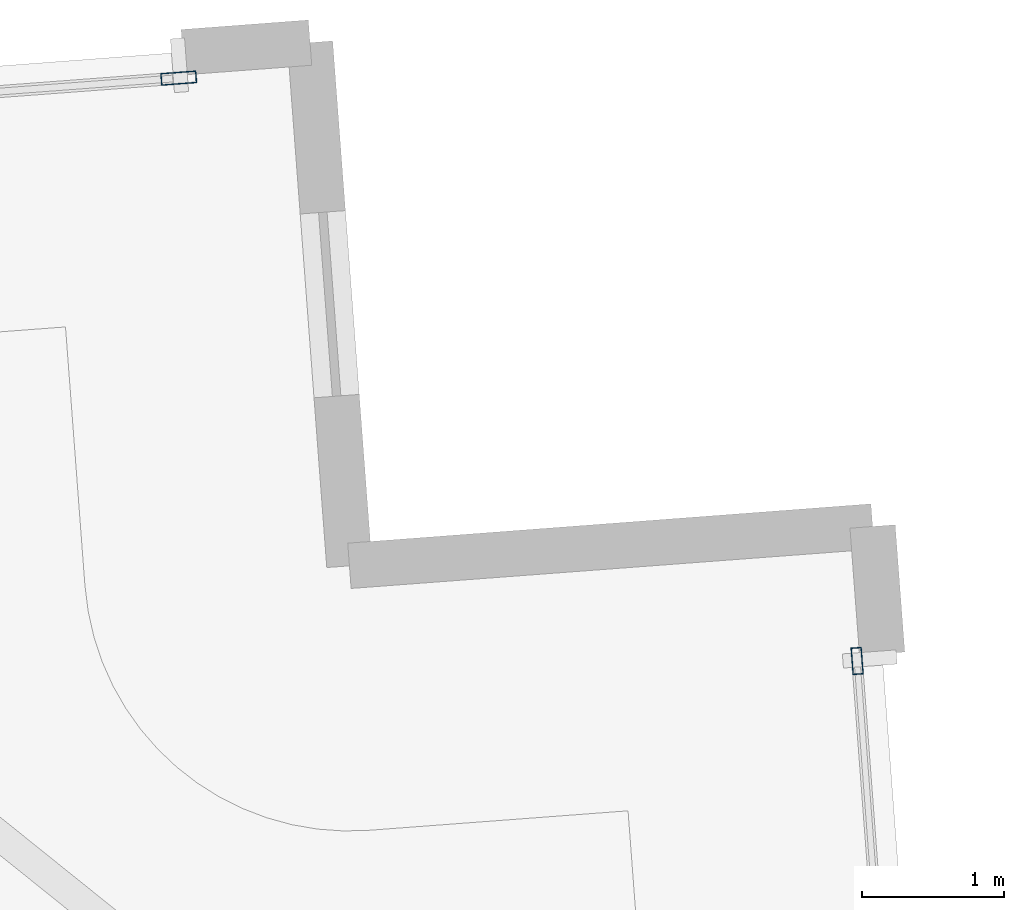
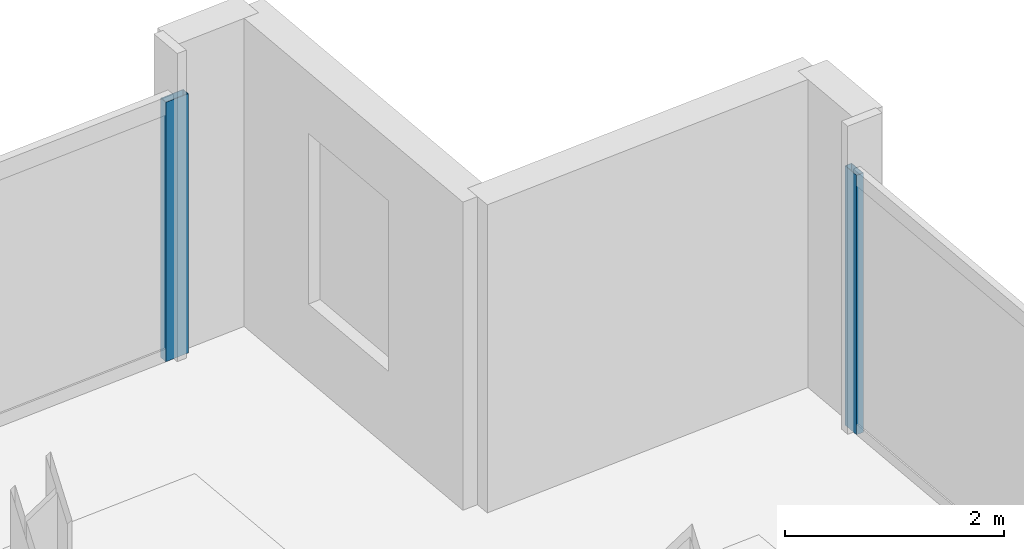
# One storey, part 15 of 23: 2 members, 2 elements without a shape of their own.
"""IFC4 building model written with IfcOpenShell, lengths in metres."""

import ifcopenshell
import ifcopenshell.guid

model = None  # the IFC model being written
_history = None  # IfcOwnerHistory: only IFC2X3 demands one
_inside = {}  # id of a spatial element -> (the spatial element, [elements in it])
_under = {}  # id of a project, library or spatial element -> (it, [spatial elements below it])
_declared = {}  # id of a project -> (the project, [libraries it declares])
_typed = {}  # id of a type object -> (the type object, [elements of that type])
_made_of = {}  # id of a material, layer set ... -> (it, [elements and type objects made of it])


def new_model(schema):
    """Start an empty IFC model of exactly this schema.

    Asked for "IFC4X3", IfcOpenShell would pick the latest addendum, in which some entities
    have other attributes; the version numbers below select the first issue.
    IFC2X3 requires an IfcOwnerHistory on every rooted entity: one is made here for all.
    """
    global model, _history
    if schema == "IFC4X3":
        model = ifcopenshell.file(schema_version=(4, 3, 0, 0))
    else:
        model = ifcopenshell.file(schema=schema)
    _inside.clear()
    _under.clear()
    _declared.clear()
    _typed.clear()
    _made_of.clear()
    _history = None
    if model.schema == "IFC2X3":
        org = make("IfcOrganization", Name="unknown")
        user = make(
            "IfcPersonAndOrganization",
            ThePerson=make("IfcPerson", FamilyName="unknown"),
            TheOrganization=org,
        )
        app = make(
            "IfcApplication",
            ApplicationDeveloper=org,
            Version="unknown",
            ApplicationFullName="unknown",
            ApplicationIdentifier="unknown",
        )
        _history = make(
            "IfcOwnerHistory",
            OwningUser=user,
            OwningApplication=app,
            ChangeAction="ADDED",
            CreationDate=0,
        )
    return model


def make(cls, **values):
    """One entity of the class cls with the attributes given. An attribute that is None is left unset."""
    return model.create_entity(
        cls, **{name: value for name, value in values.items() if value is not None}
    )


def rooted(cls, **values):
    """An entity with a GlobalId (a new one), such as an element, a storey or a relation."""
    return make(cls, GlobalId=ifcopenshell.guid.new(), OwnerHistory=_history, **values)


def si_unit(unit_type, name, prefix=None):
    """IfcSIUnit, for example si_unit("LENGTHUNIT", "METRE", prefix="MILLI")."""
    return make("IfcSIUnit", UnitType=unit_type, Prefix=prefix, Name=name)


def assignment(units):
    """IfcUnitAssignment: the units of a project."""
    return None if units is None else make("IfcUnitAssignment", Units=units)


def point(xyz):
    """IfcCartesianPoint."""
    return None if xyz is None else make("IfcCartesianPoint", Coordinates=xyz)


def direction(xyz):
    """IfcDirection."""
    return None if xyz is None else make("IfcDirection", DirectionRatios=xyz)


def frame(location, z_axis=None, x_axis=None):
    """IfcAxis2Placement3D, a coordinate frame: its origin and axes. An axis left out is left unset."""
    return make(
        "IfcAxis2Placement3D",
        Location=point(location),
        Axis=direction(z_axis),
        RefDirection=direction(x_axis),
    )


def frame_2d(location, x_axis=None):
    """IfcAxis2Placement2D, a coordinate frame in the plane: its origin and x axis."""
    return make(
        "IfcAxis2Placement2D", Location=point(location), RefDirection=direction(x_axis)
    )


def origin():
    """The frame at (0, 0, 0) with its axes left unset."""
    return frame((0.0, 0.0, 0.0))


def origin_2d():
    """The frame at (0, 0) in the plane with its x axis left unset."""
    return frame_2d((0.0, 0.0))


def place(relative_to, where):
    """IfcLocalPlacement: puts the frame where relative to a parent placement (None: the world)."""
    return make(
        "IfcLocalPlacement", PlacementRelTo=relative_to, RelativePlacement=where
    )


def context(
    kind, dimensions, precision=None, world=None, true_north=None, identifier=None
):
    """IfcGeometricRepresentationContext, for example the 3D "Model" context."""
    return make(
        "IfcGeometricRepresentationContext",
        ContextIdentifier=identifier,
        ContextType=kind,
        CoordinateSpaceDimension=dimensions,
        Precision=precision,
        WorldCoordinateSystem=world,
        TrueNorth=true_north,
    )


def subcontext(parent, identifier, kind, view, scale=None):
    """IfcGeometricRepresentationSubContext, for example "Body" below "Model"."""
    return make(
        "IfcGeometricRepresentationSubContext",
        ContextIdentifier=identifier,
        ContextType=kind,
        ParentContext=parent,
        TargetScale=scale,
        TargetView=view,
    )


def project(units=None, contexts=None):
    """IfcProject with its units and contexts."""
    return rooted(
        "IfcProject",
        Name="project",
        RepresentationContexts=contexts,
        UnitsInContext=assignment(units),
    )


def spatial(cls, under=None, at=None, **own):
    """A site, building, storey or space (cls), placed at a placement, below another one or the project."""
    s = rooted(cls, ObjectPlacement=at, **own)
    if under is not None:
        _under.setdefault(under.id(), (under, []))[1].append(s)
    return s


def profile(cls, at=None, kind="AREA", **sizes):
    """A parametric profile (cls). Its sizes go by their IFC names, for example OverallWidth=200.0."""
    return make(cls, ProfileType=kind, Position=at, **sizes)


def hollow_rectangle(**sizes):
    """IfcRectangleHollowProfileDef."""
    return profile("IfcRectangleHollowProfileDef", **sizes)


def extrude(swept, where, along, depth):
    """IfcExtrudedAreaSolid: the profile swept, set in the frame where, extruded along a direction by depth."""
    return make(
        "IfcExtrudedAreaSolid",
        SweptArea=swept,
        Position=where,
        ExtrudedDirection=direction(along),
        Depth=depth,
    )


def shape(context_of_items, identifier, shape_type, items):
    """IfcShapeRepresentation: the items that make up one representation, for example the "Body"."""
    return make(
        "IfcShapeRepresentation",
        ContextOfItems=context_of_items,
        RepresentationIdentifier=identifier,
        RepresentationType=shape_type,
        Items=items,
    )


def material(Name=None, Category=None):
    """IfcMaterial."""
    return make("IfcMaterial", Name=Name, Category=Category)


def material_profile(
    of_material, cross_section, Name=None, Category=None, Priority=None
):
    """IfcMaterialProfile: a cross section and its material."""
    return make(
        "IfcMaterialProfile",
        Name=Name,
        Material=of_material,
        Profile=cross_section,
        Priority=Priority,
        Category=Category,
    )


def profile_set(profiles, Name=None, composite=None):
    """IfcMaterialProfileSet."""
    return make(
        "IfcMaterialProfileSet",
        Name=Name,
        MaterialProfiles=profiles,
        CompositeProfile=composite,
    )


def made_of(thing, what):
    """Note that an element or type object is made of a material, layer set ...; save() writes the relation."""
    if what is not None:
        _made_of.setdefault(what.id(), (what, []))[1].append(thing)
    return thing


def type_object(cls, material=None, **own):
    """A type object (cls), such as IfcWallType, which elements share."""
    return made_of(rooted(cls, **own), material)


def element(
    cls,
    number,
    at=None,
    inside=None,
    cuts=None,
    type_object=None,
    material=None,
    context=None,
    identifier="Body",
    shape_type=None,
    held_by="IfcProductDefinitionShape",
    body=None,
    shapes=None,
    **own,
):
    """One element of the class cls, such as IfcWall. Its Tag is "e" and its number.

    at: its placement. inside: the storey or other place that contains it. cuts: it is an
    opening in that element (IfcRelVoidsElement). A single representation is given by context,
    identifier, shape_type and body (its items); several are given by shapes. held_by: the class
    of the entity that holds the representations. save() writes the other relations.
    """
    e = rooted(cls, Tag="e%d" % number, ObjectPlacement=at, **own)
    if body is not None:
        shapes = [shape(context, identifier, shape_type, body)]
    if shapes is not None:
        e.Representation = make(held_by, Representations=shapes)
    if inside is not None:
        _inside.setdefault(inside.id(), (inside, []))[1].append(e)
    if cuts is not None:
        rooted(
            "IfcRelVoidsElement", RelatingBuildingElement=cuts, RelatedOpeningElement=e
        )
    if type_object is not None:
        _typed.setdefault(type_object.id(), (type_object, []))[1].append(e)
    return made_of(e, material)


def aggregate(whole, parts):
    """IfcRelAggregates: a whole, such as a stair, and the parts it consists of."""
    return rooted("IfcRelAggregates", RelatingObject=whole, RelatedObjects=parts)


def save(model, path):
    """Write the relations noted so far, then the file.

    IfcRelAggregates (storeys below a building ...), IfcRelContainedInSpatialStructure (elements
    in a storey), IfcRelDefinesByType, IfcRelAssociatesMaterial and IfcRelDeclares: one each for
    every whole, place, type object, material and project.
    """
    for whole, parts in _under.values():
        aggregate(whole, parts)
    for where, things in _inside.values():
        rooted(
            "IfcRelContainedInSpatialStructure",
            RelatedElements=things,
            RelatingStructure=where,
        )
    for kind, things in _typed.values():
        rooted("IfcRelDefinesByType", RelatedObjects=things, RelatingType=kind)
    for what, things in _made_of.values():
        rooted("IfcRelAssociatesMaterial", RelatedObjects=things, RelatingMaterial=what)
    for by, libraries in _declared.values():
        rooted("IfcRelDeclares", RelatingContext=by, RelatedDefinitions=libraries)
    model.write(path)


model = new_model("IFC4")

# Units and contexts
model_context = context("Model", 3, precision=1e-05, world=origin(), true_north=direction((0.0, 1.0)))
body_context = subcontext(model_context, "Body", "Model", "MODEL_VIEW")
ifc_project = project(units=[si_unit("LENGTHUNIT", "METRE"), si_unit("AREAUNIT", "SQUARE_METRE"), si_unit("VOLUMEUNIT", "CUBIC_METRE"), si_unit("PLANEANGLEUNIT", "RADIAN"), si_unit("MASSUNIT", "GRAM", prefix="KILO")], contexts=[model_context])

# Site, building, storey
site_placement = place(None, origin())
site = spatial("IfcSite", under=ifc_project, at=site_placement, CompositionType="ELEMENT")
building_placement = place(site_placement, origin())
building = spatial("IfcBuilding", under=site, at=building_placement, Name="Haldenkirk Collegiate Tower", CompositionType="ELEMENT")
storey_placement = place(building_placement, frame((0.0, 0.0, 343.949951171875)))
storey = spatial("IfcBuildingStorey", under=building, at=storey_placement, Name="L87", CompositionType="ELEMENT", Elevation=343.949951171875)

# Curtain wall, member
ifc_material = material(Name="Anodised architectural bronze aluminium", Category="aluminium")
curtain_wall_type_1 = type_object("IfcCurtainWallType", Name="CW-SYS2-CONCAVE", PredefinedType="USERDEFINED", material=ifc_material)
curtain_wall_1_placement = place(storey_placement, origin())
curtain_wall_1 = element("IfcCurtainWall", 1, at=curtain_wall_1_placement, inside=storey, type_object=curtain_wall_type_1, Name="L87 South concave recessed bronze-anodised curtain wall", ObjectType="UNITISED CURTAIN WALL", PredefinedType="USERDEFINED")
ifc_material_profile_1 = material_profile(ifc_material, hollow_rectangle(XDim=0.074951171875, YDim=0.18994140625, WallThickness=0.0048828125, at=origin_2d()), Name="CW-MUL-02")
ifc_profile_set_1 = profile_set([ifc_material_profile_1], Name="Anodised architectural bronze aluminium")
member_type_1 = type_object("IfcMemberType", Name="CW-MUL-02", PredefinedType="MULLION", material=ifc_profile_set_1)
member_1_placement = place(storey_placement, frame((56.562744140625, 45.208251953125, 0.0), z_axis=(0.0, 0.0, 1.0), x_axis=(0.997185231822, 0.074977419512, 0.0)))
member_1 = element("IfcMember", 2, at=member_1_placement, type_object=member_type_1, Name="CW-02 mullion 1", PredefinedType="MULLION", context=body_context, shape_type="SweptSolid", body=[
    extrude(hollow_rectangle(XDim=0.074951171875, YDim=0.18994140625, WallThickness=0.0048828125, at=origin_2d()), origin(), (0.0, 0.0, 1.0), 2.887939453125),
])
aggregate(curtain_wall_1, [member_1])

curtain_wall_type_2 = type_object("IfcCurtainWallType", Name="CW-SYS1B-CONVEX-HI", PredefinedType="USERDEFINED", material=ifc_material)
curtain_wall_2_placement = place(storey_placement, origin())
curtain_wall_2 = element("IfcCurtainWall", 3, at=curtain_wall_2_placement, inside=storey, type_object=curtain_wall_type_2, Name="L87 Upper tower high-wind convex bronze unitised curtain wall", ObjectType="UNITISED CURTAIN WALL", PredefinedType="USERDEFINED")
ifc_material_profile_2 = material_profile(ifc_material, hollow_rectangle(XDim=0.0849609375, YDim=0.25, WallThickness=0.0048828125, at=origin_2d()), Name="CW-MUL-1B")
ifc_profile_set_2 = profile_set([ifc_material_profile_2], Name="Anodised architectural bronze aluminium")
member_type_2 = type_object("IfcMemberType", Name="CW-MUL-1B", PredefinedType="MULLION", material=ifc_profile_set_2)
member_2_placement = place(storey_placement, frame((51.778564453125, 49.318603515625, 0.0), z_axis=(0.0, 0.0, 1.0), x_axis=(-0.074979276345, 0.997185092206, 0.0)))
member_2 = element("IfcMember", 4, at=member_2_placement, type_object=member_type_2, Name="CW-1B mullion 4", PredefinedType="MULLION", context=body_context, shape_type="SweptSolid", body=[
    extrude(hollow_rectangle(XDim=0.0849609375, YDim=0.25, WallThickness=0.0048828125, at=origin_2d()), origin(), (0.0, 0.0, 1.0), 2.887939453125),
])
aggregate(curtain_wall_2, [member_2])

save(model, "model.ifc")
